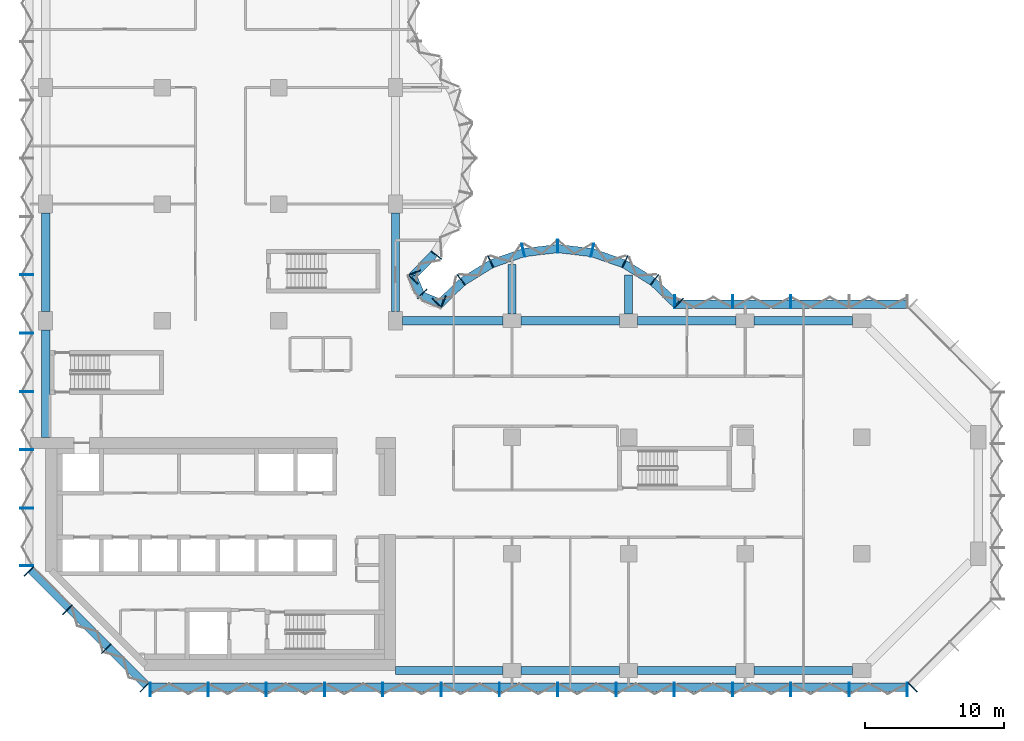
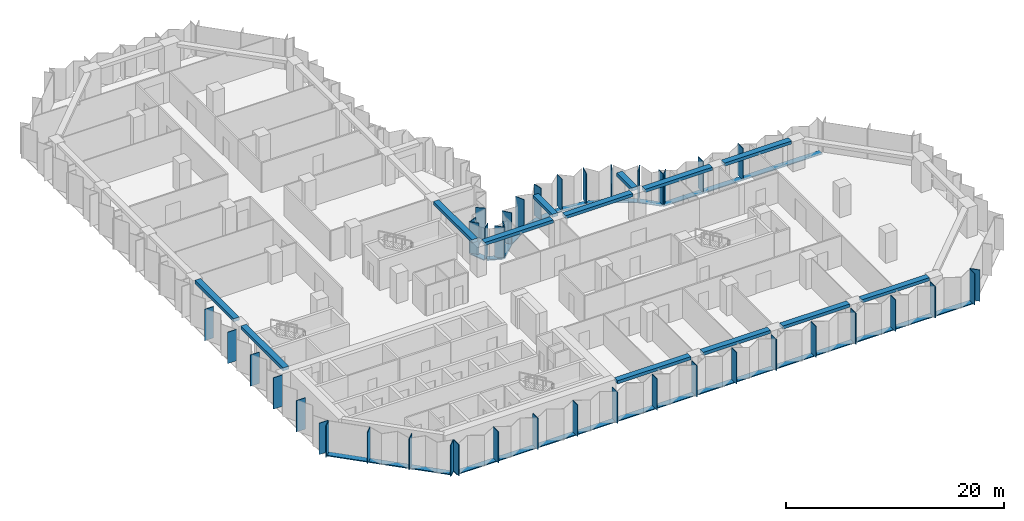
# One storey, part 2 of 13: 56 members, 13 beams, 8 elements without a shape of their own.
"""IFC4 building model written with IfcOpenShell, lengths in metres."""

import ifcopenshell
import ifcopenshell.guid

model = None  # the IFC model being written
_history = None  # IfcOwnerHistory: only IFC2X3 demands one
_inside = {}  # id of a spatial element -> (the spatial element, [elements in it])
_under = {}  # id of a project, library or spatial element -> (it, [spatial elements below it])
_declared = {}  # id of a project -> (the project, [libraries it declares])
_typed = {}  # id of a type object -> (the type object, [elements of that type])
_made_of = {}  # id of a material, layer set ... -> (it, [elements and type objects made of it])


def new_model(schema):
    """Start an empty IFC model of exactly this schema.

    Asked for "IFC4X3", IfcOpenShell would pick the latest addendum, in which some entities
    have other attributes; the version numbers below select the first issue.
    IFC2X3 requires an IfcOwnerHistory on every rooted entity: one is made here for all.
    """
    global model, _history
    if schema == "IFC4X3":
        model = ifcopenshell.file(schema_version=(4, 3, 0, 0))
    else:
        model = ifcopenshell.file(schema=schema)
    _inside.clear()
    _under.clear()
    _declared.clear()
    _typed.clear()
    _made_of.clear()
    _history = None
    if model.schema == "IFC2X3":
        org = make("IfcOrganization", Name="unknown")
        user = make(
            "IfcPersonAndOrganization",
            ThePerson=make("IfcPerson", FamilyName="unknown"),
            TheOrganization=org,
        )
        app = make(
            "IfcApplication",
            ApplicationDeveloper=org,
            Version="unknown",
            ApplicationFullName="unknown",
            ApplicationIdentifier="unknown",
        )
        _history = make(
            "IfcOwnerHistory",
            OwningUser=user,
            OwningApplication=app,
            ChangeAction="ADDED",
            CreationDate=0,
        )
    return model


def make(cls, **values):
    """One entity of the class cls with the attributes given. An attribute that is None is left unset."""
    return model.create_entity(
        cls, **{name: value for name, value in values.items() if value is not None}
    )


def rooted(cls, **values):
    """An entity with a GlobalId (a new one), such as an element, a storey or a relation."""
    return make(cls, GlobalId=ifcopenshell.guid.new(), OwnerHistory=_history, **values)


def si_unit(unit_type, name, prefix=None):
    """IfcSIUnit, for example si_unit("LENGTHUNIT", "METRE", prefix="MILLI")."""
    return make("IfcSIUnit", UnitType=unit_type, Prefix=prefix, Name=name)


def assignment(units):
    """IfcUnitAssignment: the units of a project."""
    return None if units is None else make("IfcUnitAssignment", Units=units)


def point(xyz):
    """IfcCartesianPoint."""
    return None if xyz is None else make("IfcCartesianPoint", Coordinates=xyz)


def direction(xyz):
    """IfcDirection."""
    return None if xyz is None else make("IfcDirection", DirectionRatios=xyz)


def frame(location, z_axis=None, x_axis=None):
    """IfcAxis2Placement3D, a coordinate frame: its origin and axes. An axis left out is left unset."""
    return make(
        "IfcAxis2Placement3D",
        Location=point(location),
        Axis=direction(z_axis),
        RefDirection=direction(x_axis),
    )


def frame_2d(location, x_axis=None):
    """IfcAxis2Placement2D, a coordinate frame in the plane: its origin and x axis."""
    return make(
        "IfcAxis2Placement2D", Location=point(location), RefDirection=direction(x_axis)
    )


def origin():
    """The frame at (0, 0, 0) with its axes left unset."""
    return frame((0.0, 0.0, 0.0))


def origin_2d():
    """The frame at (0, 0) in the plane with its x axis left unset."""
    return frame_2d((0.0, 0.0))


def place(relative_to, where):
    """IfcLocalPlacement: puts the frame where relative to a parent placement (None: the world)."""
    return make(
        "IfcLocalPlacement", PlacementRelTo=relative_to, RelativePlacement=where
    )


def context(
    kind, dimensions, precision=None, world=None, true_north=None, identifier=None
):
    """IfcGeometricRepresentationContext, for example the 3D "Model" context."""
    return make(
        "IfcGeometricRepresentationContext",
        ContextIdentifier=identifier,
        ContextType=kind,
        CoordinateSpaceDimension=dimensions,
        Precision=precision,
        WorldCoordinateSystem=world,
        TrueNorth=true_north,
    )


def subcontext(parent, identifier, kind, view, scale=None):
    """IfcGeometricRepresentationSubContext, for example "Body" below "Model"."""
    return make(
        "IfcGeometricRepresentationSubContext",
        ContextIdentifier=identifier,
        ContextType=kind,
        ParentContext=parent,
        TargetScale=scale,
        TargetView=view,
    )


def project(units=None, contexts=None):
    """IfcProject with its units and contexts."""
    return rooted(
        "IfcProject",
        Name="project",
        RepresentationContexts=contexts,
        UnitsInContext=assignment(units),
    )


def spatial(cls, under=None, at=None, **own):
    """A site, building, storey or space (cls), placed at a placement, below another one or the project."""
    s = rooted(cls, ObjectPlacement=at, **own)
    if under is not None:
        _under.setdefault(under.id(), (under, []))[1].append(s)
    return s


def profile(cls, at=None, kind="AREA", **sizes):
    """A parametric profile (cls). Its sizes go by their IFC names, for example OverallWidth=200.0."""
    return make(cls, ProfileType=kind, Position=at, **sizes)


def rectangle(**sizes):
    """IfcRectangleProfileDef."""
    return profile("IfcRectangleProfileDef", **sizes)


def extrude(swept, where, along, depth):
    """IfcExtrudedAreaSolid: the profile swept, set in the frame where, extruded along a direction by depth."""
    return make(
        "IfcExtrudedAreaSolid",
        SweptArea=swept,
        Position=where,
        ExtrudedDirection=direction(along),
        Depth=depth,
    )


def shape(context_of_items, identifier, shape_type, items):
    """IfcShapeRepresentation: the items that make up one representation, for example the "Body"."""
    return make(
        "IfcShapeRepresentation",
        ContextOfItems=context_of_items,
        RepresentationIdentifier=identifier,
        RepresentationType=shape_type,
        Items=items,
    )


def material(Name=None, Category=None):
    """IfcMaterial."""
    return make("IfcMaterial", Name=Name, Category=Category)


def material_profile(
    of_material, cross_section, Name=None, Category=None, Priority=None
):
    """IfcMaterialProfile: a cross section and its material."""
    return make(
        "IfcMaterialProfile",
        Name=Name,
        Material=of_material,
        Profile=cross_section,
        Priority=Priority,
        Category=Category,
    )


def profile_set(profiles, Name=None, composite=None):
    """IfcMaterialProfileSet."""
    return make(
        "IfcMaterialProfileSet",
        Name=Name,
        MaterialProfiles=profiles,
        CompositeProfile=composite,
    )


def made_of(thing, what):
    """Note that an element or type object is made of a material, layer set ...; save() writes the relation."""
    if what is not None:
        _made_of.setdefault(what.id(), (what, []))[1].append(thing)
    return thing


def type_object(cls, material=None, **own):
    """A type object (cls), such as IfcWallType, which elements share."""
    return made_of(rooted(cls, **own), material)


def element(
    cls,
    number,
    at=None,
    inside=None,
    cuts=None,
    type_object=None,
    material=None,
    context=None,
    identifier="Body",
    shape_type=None,
    held_by="IfcProductDefinitionShape",
    body=None,
    shapes=None,
    **own,
):
    """One element of the class cls, such as IfcWall. Its Tag is "e" and its number.

    at: its placement. inside: the storey or other place that contains it. cuts: it is an
    opening in that element (IfcRelVoidsElement). A single representation is given by context,
    identifier, shape_type and body (its items); several are given by shapes. held_by: the class
    of the entity that holds the representations. save() writes the other relations.
    """
    e = rooted(cls, Tag="e%d" % number, ObjectPlacement=at, **own)
    if body is not None:
        shapes = [shape(context, identifier, shape_type, body)]
    if shapes is not None:
        e.Representation = make(held_by, Representations=shapes)
    if inside is not None:
        _inside.setdefault(inside.id(), (inside, []))[1].append(e)
    if cuts is not None:
        rooted(
            "IfcRelVoidsElement", RelatingBuildingElement=cuts, RelatedOpeningElement=e
        )
    if type_object is not None:
        _typed.setdefault(type_object.id(), (type_object, []))[1].append(e)
    return made_of(e, material)


def aggregate(whole, parts):
    """IfcRelAggregates: a whole, such as a stair, and the parts it consists of."""
    return rooted("IfcRelAggregates", RelatingObject=whole, RelatedObjects=parts)


def save(model, path):
    """Write the relations noted so far, then the file.

    IfcRelAggregates (storeys below a building ...), IfcRelContainedInSpatialStructure (elements
    in a storey), IfcRelDefinesByType, IfcRelAssociatesMaterial and IfcRelDeclares: one each for
    every whole, place, type object, material and project.
    """
    for whole, parts in _under.values():
        aggregate(whole, parts)
    for where, things in _inside.values():
        rooted(
            "IfcRelContainedInSpatialStructure",
            RelatedElements=things,
            RelatingStructure=where,
        )
    for kind, things in _typed.values():
        rooted("IfcRelDefinesByType", RelatedObjects=things, RelatingType=kind)
    for what, things in _made_of.values():
        rooted("IfcRelAssociatesMaterial", RelatedObjects=things, RelatingMaterial=what)
    for by, libraries in _declared.values():
        rooted("IfcRelDeclares", RelatingContext=by, RelatedDefinitions=libraries)
    model.write(path)


model = new_model("IFC4")

# Units and contexts
model_context = context("Model", 3, precision=1e-05, world=origin(), true_north=direction((0.0, 1.0)))
body_context = subcontext(model_context, "Body", "Model", "MODEL_VIEW")
ifc_project = project(units=[si_unit("LENGTHUNIT", "METRE"), si_unit("AREAUNIT", "SQUARE_METRE"), si_unit("VOLUMEUNIT", "CUBIC_METRE"), si_unit("PLANEANGLEUNIT", "RADIAN"), si_unit("MASSUNIT", "GRAM", prefix="KILO")], contexts=[model_context])

# Site, building, storey
site_placement = place(None, origin())
site = spatial("IfcSite", under=ifc_project, at=site_placement, CompositionType="ELEMENT")
building_placement = place(site_placement, origin())
building = spatial("IfcBuilding", under=site, at=building_placement, Name="Brevane Broadcast Tower", CompositionType="ELEMENT")
storey_placement = place(building_placement, frame((0.0, 0.0, 124.10009765625)))
storey = spatial("IfcBuildingStorey", under=building, at=storey_placement, Name="L30", CompositionType="ELEMENT", Elevation=124.10009765625)

# Curtain wall, members
ifc_material_1 = material(Name="Aluminium 6063-T6 bronze anodised", Category="aluminium")
curtain_wall_type = type_object("IfcCurtainWallType", Name="CW-1 curtain wall", PredefinedType="NOTDEFINED", material=ifc_material_1)
curtain_wall_1_placement = place(storey_placement, origin())
curtain_wall_1 = element("IfcCurtainWall", 1, at=curtain_wall_1_placement, inside=storey, type_object=curtain_wall_type, Name="CW-1 typical tilted unit L30 south face", PredefinedType="NOTDEFINED")
ifc_material_profile_1 = material_profile(ifc_material_1, rectangle(XDim=0.949951171875, YDim=0.070068359375, at=origin_2d()), Name="RECT 70x950")
ifc_profile_set_1 = profile_set([ifc_material_profile_1], Name="Aluminium 6063-T6 bronze anodised")
member_type_1 = type_object("IfcMemberType", Name="CW-1 mullion 70x950", PredefinedType="MULLION", material=ifc_profile_set_1)
member_1_placement = place(storey_placement, frame((7.534912109375, -1.375, -0.150146484375), z_axis=(0.0, 0.0, 1.0), x_axis=(0.0, 1.0, 0.0)))
member_1 = element("IfcMember", 2, at=member_1_placement, type_object=member_type_1, Name="CW-1 mullion", PredefinedType="MULLION", context=body_context, shape_type="SweptSolid", body=[
    extrude(rectangle(XDim=0.949951171875, YDim=0.070068359375, at=origin_2d()), origin(), (0.0, 0.0, 1.0), 3.5),
])
member_2_placement = place(storey_placement, frame((11.699951171875, -1.375, -0.150146484375), z_axis=(0.0, 0.0, 1.0), x_axis=(0.0, 1.0, 0.0)))
member_2 = element("IfcMember", 3, at=member_2_placement, type_object=member_type_1, Name="CW-1 mullion", PredefinedType="MULLION", context=body_context, shape_type="SweptSolid", body=[
    extrude(rectangle(XDim=0.949951171875, YDim=0.070068359375, at=origin_2d()), origin(), (0.0, 0.0, 1.0), 3.5),
])
member_3_placement = place(storey_placement, frame((15.89990234375, -1.375, -0.150146484375), z_axis=(0.0, 0.0, 1.0), x_axis=(0.0, 1.0, 0.0)))
member_3 = element("IfcMember", 4, at=member_3_placement, type_object=member_type_1, Name="CW-1 mullion", PredefinedType="MULLION", context=body_context, shape_type="SweptSolid", body=[
    extrude(rectangle(XDim=0.949951171875, YDim=0.070068359375, at=origin_2d()), origin(), (0.0, 0.0, 1.0), 3.5),
])
member_4_placement = place(storey_placement, frame((20.10009765625, -1.375, -0.150146484375), z_axis=(0.0, 0.0, 1.0), x_axis=(0.0, 1.0, 0.0)))
member_4 = element("IfcMember", 5, at=member_4_placement, type_object=member_type_1, Name="CW-1 mullion", PredefinedType="MULLION", context=body_context, shape_type="SweptSolid", body=[
    extrude(rectangle(XDim=0.949951171875, YDim=0.070068359375, at=origin_2d()), origin(), (0.0, 0.0, 1.0), 3.5),
])
member_5_placement = place(storey_placement, frame((24.300048828125, -1.375, -0.150146484375), z_axis=(0.0, 0.0, 1.0), x_axis=(0.0, 1.0, 0.0)))
member_5 = element("IfcMember", 6, at=member_5_placement, type_object=member_type_1, Name="CW-1 mullion", PredefinedType="MULLION", context=body_context, shape_type="SweptSolid", body=[
    extrude(rectangle(XDim=0.949951171875, YDim=0.070068359375, at=origin_2d()), origin(), (0.0, 0.0, 1.0), 3.5),
])
member_6_placement = place(storey_placement, frame((28.5, -1.375, -0.150146484375), z_axis=(0.0, 0.0, 1.0), x_axis=(0.0, 1.0, 0.0)))
member_6 = element("IfcMember", 7, at=member_6_placement, type_object=member_type_1, Name="CW-1 mullion", PredefinedType="MULLION", context=body_context, shape_type="SweptSolid", body=[
    extrude(rectangle(XDim=0.949951171875, YDim=0.070068359375, at=origin_2d()), origin(), (0.0, 0.0, 1.0), 3.5),
])
member_7_placement = place(storey_placement, frame((32.699951171875, -1.375, -0.150146484375), z_axis=(0.0, 0.0, 1.0), x_axis=(0.0, 1.0, 0.0)))
member_7 = element("IfcMember", 8, at=member_7_placement, type_object=member_type_1, Name="CW-1 mullion", PredefinedType="MULLION", context=body_context, shape_type="SweptSolid", body=[
    extrude(rectangle(XDim=0.949951171875, YDim=0.070068359375, at=origin_2d()), origin(), (0.0, 0.0, 1.0), 3.5),
])
member_8_placement = place(storey_placement, frame((36.89990234375, -1.375, -0.150146484375), z_axis=(0.0, 0.0, 1.0), x_axis=(0.0, 1.0, 0.0)))
member_8 = element("IfcMember", 9, at=member_8_placement, type_object=member_type_1, Name="CW-1 mullion", PredefinedType="MULLION", context=body_context, shape_type="SweptSolid", body=[
    extrude(rectangle(XDim=0.949951171875, YDim=0.070068359375, at=origin_2d()), origin(), (0.0, 0.0, 1.0), 3.5),
])
member_9_placement = place(storey_placement, frame((41.10009765625, -1.375, -0.150146484375), z_axis=(0.0, 0.0, 1.0), x_axis=(0.0, 1.0, 0.0)))
member_9 = element("IfcMember", 10, at=member_9_placement, type_object=member_type_1, Name="CW-1 mullion", PredefinedType="MULLION", context=body_context, shape_type="SweptSolid", body=[
    extrude(rectangle(XDim=0.949951171875, YDim=0.070068359375, at=origin_2d()), origin(), (0.0, 0.0, 1.0), 3.5),
])
member_10_placement = place(storey_placement, frame((45.300048828125, -1.375, -0.150146484375), z_axis=(0.0, 0.0, 1.0), x_axis=(0.0, 1.0, 0.0)))
member_10 = element("IfcMember", 11, at=member_10_placement, type_object=member_type_1, Name="CW-1 mullion", PredefinedType="MULLION", context=body_context, shape_type="SweptSolid", body=[
    extrude(rectangle(XDim=0.949951171875, YDim=0.070068359375, at=origin_2d()), origin(), (0.0, 0.0, 1.0), 3.5),
])
member_11_placement = place(storey_placement, frame((49.5, -1.375, -0.150146484375), z_axis=(0.0, 0.0, 1.0), x_axis=(0.0, 1.0, 0.0)))
member_11 = element("IfcMember", 12, at=member_11_placement, type_object=member_type_1, Name="CW-1 mullion", PredefinedType="MULLION", context=body_context, shape_type="SweptSolid", body=[
    extrude(rectangle(XDim=0.949951171875, YDim=0.070068359375, at=origin_2d()), origin(), (0.0, 0.0, 1.0), 3.5),
])
member_12_placement = place(storey_placement, frame((53.699951171875, -1.375, -0.150146484375), z_axis=(0.0, 0.0, 1.0), x_axis=(0.0, 1.0, 0.0)))
member_12 = element("IfcMember", 13, at=member_12_placement, type_object=member_type_1, Name="CW-1 mullion", PredefinedType="MULLION", context=body_context, shape_type="SweptSolid", body=[
    extrude(rectangle(XDim=0.949951171875, YDim=0.070068359375, at=origin_2d()), origin(), (0.0, 0.0, 1.0), 3.5),
])
member_13_placement = place(storey_placement, frame((57.89990234375, -1.375, -0.150146484375), z_axis=(0.0, 0.0, 1.0), x_axis=(0.0, 1.0, 0.0)))
member_13 = element("IfcMember", 14, at=member_13_placement, type_object=member_type_1, Name="CW-1 mullion", PredefinedType="MULLION", context=body_context, shape_type="SweptSolid", body=[
    extrude(rectangle(XDim=0.949951171875, YDim=0.070068359375, at=origin_2d()), origin(), (0.0, 0.0, 1.0), 3.5),
])
member_14_placement = place(storey_placement, frame((62.06494140625, -1.375, -0.150146484375), z_axis=(0.0, 0.0, 1.0), x_axis=(0.0, 1.0, 0.0)))
member_14 = element("IfcMember", 15, at=member_14_placement, type_object=member_type_1, Name="CW-1 mullion", PredefinedType="MULLION", context=body_context, shape_type="SweptSolid", body=[
    extrude(rectangle(XDim=0.949951171875, YDim=0.070068359375, at=origin_2d()), origin(), (0.0, 0.0, 1.0), 3.5),
])

# Curtain wall, member
curtain_wall_2_placement = place(storey_placement, origin())
curtain_wall_2 = element("IfcCurtainWall", 16, at=curtain_wall_2_placement, inside=storey, type_object=curtain_wall_type, Name="CW-1 typical tilted unit L30 south-east chamfer", PredefinedType="NOTDEFINED")
member_15_placement = place(storey_placement, frame((62.460693359375, -1.211181640625, -0.150146484375), z_axis=(0.0, 0.0, 1.0), x_axis=(-0.707106781187, 0.707106781187, 0.0)))
member_15 = element("IfcMember", 17, at=member_15_placement, type_object=member_type_1, Name="CW-1 mullion", PredefinedType="MULLION", context=body_context, shape_type="SweptSolid", body=[
    extrude(rectangle(XDim=0.949951171875, YDim=0.070068359375, at=origin_2d()), origin(), (0.0, 0.0, 1.0), 3.5),
])
aggregate(curtain_wall_2, [member_15])

# Curtain wall, members
curtain_wall_3_placement = place(storey_placement, origin())
curtain_wall_3 = element("IfcCurtainWall", 18, at=curtain_wall_3_placement, inside=storey, type_object=curtain_wall_type, Name="CW-1 typical tilted unit L30 east arm north face", PredefinedType="NOTDEFINED")
member_16_placement = place(storey_placement, frame((53.699951171875, 26.574951171875, -0.150146484375), z_axis=(0.0, 0.0, 1.0), x_axis=(0.0, -1.0, 0.0)))
member_16 = element("IfcMember", 19, at=member_16_placement, type_object=member_type_1, Name="CW-1 mullion", PredefinedType="MULLION", context=body_context, shape_type="SweptSolid", body=[
    extrude(rectangle(XDim=0.949951171875, YDim=0.070068359375, at=origin_2d()), origin(), (0.0, 0.0, 1.0), 3.5),
])
member_17_placement = place(storey_placement, frame((49.5, 26.574951171875, -0.150146484375), z_axis=(0.0, 0.0, 1.0), x_axis=(0.0, -1.0, 0.0)))
member_17 = element("IfcMember", 20, at=member_17_placement, type_object=member_type_1, Name="CW-1 mullion", PredefinedType="MULLION", context=body_context, shape_type="SweptSolid", body=[
    extrude(rectangle(XDim=0.949951171875, YDim=0.070068359375, at=origin_2d()), origin(), (0.0, 0.0, 1.0), 3.5),
])
member_18_placement = place(storey_placement, frame((45.3349609375, 26.574951171875, -0.150146484375), z_axis=(0.0, 0.0, 1.0), x_axis=(0.0, -1.0, 0.0)))
member_18 = element("IfcMember", 21, at=member_18_placement, type_object=member_type_1, Name="CW-1 mullion", PredefinedType="MULLION", context=body_context, shape_type="SweptSolid", body=[
    extrude(rectangle(XDim=0.949951171875, YDim=0.070068359375, at=origin_2d()), origin(), (0.0, 0.0, 1.0), 3.5),
])

curtain_wall_4_placement = place(storey_placement, origin())
curtain_wall_4 = element("IfcCurtainWall", 22, at=curtain_wall_4_placement, inside=storey, type_object=curtain_wall_type, Name="CW-1 typical tilted unit L30 east bow", PredefinedType="NOTDEFINED")
member_19_placement = place(storey_placement, frame((45.60595703125, 26.465087890625, -0.150146484375), z_axis=(0.0, 0.0, 1.0), x_axis=(-0.696811941702, -0.717253872699, 0.0)))
member_19 = element("IfcMember", 23, at=member_19_placement, type_object=member_type_1, Name="CW-1 mullion", PredefinedType="MULLION", context=body_context, shape_type="SweptSolid", body=[
    extrude(rectangle(XDim=0.949951171875, YDim=0.070068359375, at=origin_2d()), origin(), (0.0, 0.0, 1.0), 3.5),
])
member_20_placement = place(storey_placement, frame((43.8720703125, 28.1455078125, -0.150146484375), z_axis=(0.0, 0.0, 1.0), x_axis=(-0.614769738617, -0.788706642853, 0.0)))
member_20 = element("IfcMember", 24, at=member_20_placement, type_object=member_type_1, Name="CW-1 mullion", PredefinedType="MULLION", context=body_context, shape_type="SweptSolid", body=[
    extrude(rectangle(XDim=0.949951171875, YDim=0.070068359375, at=origin_2d()), origin(), (0.0, 0.0, 1.0), 3.5),
])
member_21_placement = place(storey_placement, frame((41.746826171875, 29.4580078125, -0.150146484375), z_axis=(0.0, 0.0, 1.0), x_axis=(-0.429933601163, -0.902860508933, 0.0)))
member_21 = element("IfcMember", 25, at=member_21_placement, type_object=member_type_1, Name="CW-1 mullion", PredefinedType="MULLION", context=body_context, shape_type="SweptSolid", body=[
    extrude(rectangle(XDim=0.949951171875, YDim=0.070068359375, at=origin_2d()), origin(), (0.0, 0.0, 1.0), 3.5),
])
member_22_placement = place(storey_placement, frame((39.38818359375, 30.28076171875, -0.150146484375), z_axis=(0.0, 0.0, 1.0), x_axis=(-0.224806482215, -0.974403430594, 0.0)))
member_22 = element("IfcMember", 26, at=member_22_placement, type_object=member_type_1, Name="CW-1 mullion", PredefinedType="MULLION", context=body_context, shape_type="SweptSolid", body=[
    extrude(rectangle(XDim=0.949951171875, YDim=0.070068359375, at=origin_2d()), origin(), (0.0, 0.0, 1.0), 3.5),
])
member_23_placement = place(storey_placement, frame((36.89990234375, 30.574951171875, -0.150146484375), z_axis=(0.0, 0.0, 1.0), x_axis=(0.0, -1.0, 0.0)))
member_23 = element("IfcMember", 27, at=member_23_placement, type_object=member_type_1, Name="CW-1 mullion", PredefinedType="MULLION", context=body_context, shape_type="SweptSolid", body=[
    extrude(rectangle(XDim=0.949951171875, YDim=0.070068359375, at=origin_2d()), origin(), (0.0, 0.0, 1.0), 3.5),
])
member_24_placement = place(storey_placement, frame((34.411865234375, 30.28076171875, -0.150146484375), z_axis=(0.0, 0.0, 1.0), x_axis=(0.224806482215, -0.974403430594, 0.0)))
member_24 = element("IfcMember", 28, at=member_24_placement, type_object=member_type_1, Name="CW-1 mullion", PredefinedType="MULLION", context=body_context, shape_type="SweptSolid", body=[
    extrude(rectangle(XDim=0.949951171875, YDim=0.070068359375, at=origin_2d()), origin(), (0.0, 0.0, 1.0), 3.5),
])
member_25_placement = place(storey_placement, frame((32.05322265625, 29.4580078125, -0.150146484375), z_axis=(0.0, 0.0, 1.0), x_axis=(0.429933601163, -0.902860508933, 0.0)))
member_25 = element("IfcMember", 29, at=member_25_placement, type_object=member_type_1, Name="CW-1 mullion", PredefinedType="MULLION", context=body_context, shape_type="SweptSolid", body=[
    extrude(rectangle(XDim=0.949951171875, YDim=0.070068359375, at=origin_2d()), origin(), (0.0, 0.0, 1.0), 3.5),
])
member_26_placement = place(storey_placement, frame((29.927978515625, 28.1455078125, -0.150146484375), z_axis=(0.0, 0.0, 1.0), x_axis=(0.614769738617, -0.788706642853, 0.0)))
member_26 = element("IfcMember", 30, at=member_26_placement, type_object=member_type_1, Name="CW-1 mullion", PredefinedType="MULLION", context=body_context, shape_type="SweptSolid", body=[
    extrude(rectangle(XDim=0.949951171875, YDim=0.070068359375, at=origin_2d()), origin(), (0.0, 0.0, 1.0), 3.5),
])
member_27_placement = place(storey_placement, frame((28.194091796875, 26.465087890625, -0.150146484375), z_axis=(0.0, 0.0, 1.0), x_axis=(0.696811941702, -0.717253872699, 0.0)))
member_27 = element("IfcMember", 31, at=member_27_placement, type_object=member_type_1, Name="CW-1 mullion", PredefinedType="MULLION", context=body_context, shape_type="SweptSolid", body=[
    extrude(rectangle(XDim=0.949951171875, YDim=0.070068359375, at=origin_2d()), origin(), (0.0, 0.0, 1.0), 3.5),
])

curtain_wall_5_placement = place(storey_placement, origin())
curtain_wall_5 = element("IfcCurtainWall", 32, at=curtain_wall_5_placement, inside=storey, type_object=curtain_wall_type, Name="CW-1 typical tilted unit L30 inner corner", PredefinedType="NOTDEFINED")
member_28_placement = place(storey_placement, frame((28.6494140625, 26.55224609375, -0.150146484375), z_axis=(0.0, 0.0, 1.0), x_axis=(-0.382683612978, -0.923879457699, 0.0)))
member_28 = element("IfcMember", 33, at=member_28_placement, type_object=member_type_1, Name="CW-1 mullion", PredefinedType="MULLION", context=body_context, shape_type="SweptSolid", body=[
    extrude(rectangle(XDim=0.949951171875, YDim=0.070068359375, at=origin_2d()), origin(), (0.0, 0.0, 1.0), 3.5),
])
member_29_placement = place(storey_placement, frame((27.138916015625, 27.138916015625, -0.150146484375), z_axis=(0.0, 0.0, 1.0), x_axis=(-0.707106781187, -0.707106781187, 0.0)))
member_29 = element("IfcMember", 34, at=member_29_placement, type_object=member_type_1, Name="CW-1 mullion", PredefinedType="MULLION", context=body_context, shape_type="SweptSolid", body=[
    extrude(rectangle(XDim=0.949951171875, YDim=0.070068359375, at=origin_2d()), origin(), (0.0, 0.0, 1.0), 3.5),
])
member_30_placement = place(storey_placement, frame((26.55224609375, 28.6494140625, -0.150146484375), z_axis=(0.0, 0.0, 1.0), x_axis=(-0.923879457699, -0.382683612978, 0.0)))
member_30 = element("IfcMember", 35, at=member_30_placement, type_object=member_type_1, Name="CW-1 mullion", PredefinedType="MULLION", context=body_context, shape_type="SweptSolid", body=[
    extrude(rectangle(XDim=0.949951171875, YDim=0.070068359375, at=origin_2d()), origin(), (0.0, 0.0, 1.0), 3.5),
])

curtain_wall_6_placement = place(storey_placement, origin())
curtain_wall_6 = element("IfcCurtainWall", 36, at=curtain_wall_6_placement, inside=storey, type_object=curtain_wall_type, Name="CW-1 typical tilted unit L30 north bow", PredefinedType="NOTDEFINED")
member_31_placement = place(storey_placement, frame((26.465087890625, 28.194091796875, -0.150146484375), z_axis=(0.0, 0.0, 1.0), x_axis=(-0.717253872699, 0.696811941702, 0.0)))
member_31 = element("IfcMember", 37, at=member_31_placement, type_object=member_type_1, Name="CW-1 mullion", PredefinedType="MULLION", context=body_context, shape_type="SweptSolid", body=[
    extrude(rectangle(XDim=0.949951171875, YDim=0.070068359375, at=origin_2d()), origin(), (0.0, 0.0, 1.0), 3.5),
])
member_32_placement = place(storey_placement, frame((28.1455078125, 29.927978515625, -0.150146484375), z_axis=(0.0, 0.0, 1.0), x_axis=(-0.788706642853, 0.614769738617, 0.0)))
member_32 = element("IfcMember", 38, at=member_32_placement, type_object=member_type_1, Name="CW-1 mullion", PredefinedType="MULLION", context=body_context, shape_type="SweptSolid", body=[
    extrude(rectangle(XDim=0.949951171875, YDim=0.070068359375, at=origin_2d()), origin(), (0.0, 0.0, 1.0), 3.5),
])

curtain_wall_7_placement = place(storey_placement, origin())
curtain_wall_7 = element("IfcCurtainWall", 39, at=curtain_wall_7_placement, inside=storey, type_object=curtain_wall_type, Name="CW-1 typical tilted unit L30 west face", PredefinedType="NOTDEFINED")
member_33_placement = place(storey_placement, frame((-1.375, 28.5, -0.150146484375), z_axis=(0.0, 0.0, 1.0), x_axis=(1.0, 0.0, 0.0)))
member_33 = element("IfcMember", 40, at=member_33_placement, type_object=member_type_1, Name="CW-1 mullion", PredefinedType="MULLION", context=body_context, shape_type="SweptSolid", body=[
    extrude(rectangle(XDim=0.949951171875, YDim=0.070068359375, at=origin_2d()), origin(), (0.0, 0.0, 1.0), 3.5),
])
member_34_placement = place(storey_placement, frame((-1.375, 24.300048828125, -0.150146484375), z_axis=(0.0, 0.0, 1.0), x_axis=(1.0, 0.0, 0.0)))
member_34 = element("IfcMember", 41, at=member_34_placement, type_object=member_type_1, Name="CW-1 mullion", PredefinedType="MULLION", context=body_context, shape_type="SweptSolid", body=[
    extrude(rectangle(XDim=0.949951171875, YDim=0.070068359375, at=origin_2d()), origin(), (0.0, 0.0, 1.0), 3.5),
])
member_35_placement = place(storey_placement, frame((-1.375, 20.10009765625, -0.150146484375), z_axis=(0.0, 0.0, 1.0), x_axis=(1.0, 0.0, 0.0)))
member_35 = element("IfcMember", 42, at=member_35_placement, type_object=member_type_1, Name="CW-1 mullion", PredefinedType="MULLION", context=body_context, shape_type="SweptSolid", body=[
    extrude(rectangle(XDim=0.949951171875, YDim=0.070068359375, at=origin_2d()), origin(), (0.0, 0.0, 1.0), 3.5),
])
member_36_placement = place(storey_placement, frame((-1.375, 15.89990234375, -0.150146484375), z_axis=(0.0, 0.0, 1.0), x_axis=(1.0, 0.0, 0.0)))
member_36 = element("IfcMember", 43, at=member_36_placement, type_object=member_type_1, Name="CW-1 mullion", PredefinedType="MULLION", context=body_context, shape_type="SweptSolid", body=[
    extrude(rectangle(XDim=0.949951171875, YDim=0.070068359375, at=origin_2d()), origin(), (0.0, 0.0, 1.0), 3.5),
])
member_37_placement = place(storey_placement, frame((-1.375, 11.699951171875, -0.150146484375), z_axis=(0.0, 0.0, 1.0), x_axis=(1.0, 0.0, 0.0)))
member_37 = element("IfcMember", 44, at=member_37_placement, type_object=member_type_1, Name="CW-1 mullion", PredefinedType="MULLION", context=body_context, shape_type="SweptSolid", body=[
    extrude(rectangle(XDim=0.949951171875, YDim=0.070068359375, at=origin_2d()), origin(), (0.0, 0.0, 1.0), 3.5),
])
member_38_placement = place(storey_placement, frame((-1.375, 7.534912109375, -0.150146484375), z_axis=(0.0, 0.0, 1.0), x_axis=(1.0, 0.0, 0.0)))
member_38 = element("IfcMember", 45, at=member_38_placement, type_object=member_type_1, Name="CW-1 mullion", PredefinedType="MULLION", context=body_context, shape_type="SweptSolid", body=[
    extrude(rectangle(XDim=0.949951171875, YDim=0.070068359375, at=origin_2d()), origin(), (0.0, 0.0, 1.0), 3.5),
])
aggregate(curtain_wall_7, [member_33, member_34, member_35, member_36, member_37, member_38])

curtain_wall_8_placement = place(storey_placement, origin())
curtain_wall_8 = element("IfcCurtainWall", 46, at=curtain_wall_8_placement, inside=storey, type_object=curtain_wall_type, Name="CW-1 typical tilted unit L30 south-west chamfer", PredefinedType="NOTDEFINED")
member_39_placement = place(storey_placement, frame((-1.211181640625, 7.139404296875, -0.150146484375), z_axis=(0.0, 0.0, 1.0), x_axis=(0.707106781187, 0.707106781187, 0.0)))
member_39 = element("IfcMember", 47, at=member_39_placement, type_object=member_type_1, Name="CW-1 mullion", PredefinedType="MULLION", context=body_context, shape_type="SweptSolid", body=[
    extrude(rectangle(XDim=0.949951171875, YDim=0.070068359375, at=origin_2d()), origin(), (0.0, 0.0, 1.0), 3.5),
])
member_40_placement = place(storey_placement, frame((1.564208984375, 4.364013671875, -0.150146484375), z_axis=(0.0, 0.0, 1.0), x_axis=(0.707106781187, 0.707106781187, 0.0)))
member_40 = element("IfcMember", 48, at=member_40_placement, type_object=member_type_1, Name="CW-1 mullion", PredefinedType="MULLION", context=body_context, shape_type="SweptSolid", body=[
    extrude(rectangle(XDim=0.949951171875, YDim=0.070068359375, at=origin_2d()), origin(), (0.0, 0.0, 1.0), 3.5),
])
member_41_placement = place(storey_placement, frame((4.364013671875, 1.564208984375, -0.150146484375), z_axis=(0.0, 0.0, 1.0), x_axis=(0.707106781187, 0.707106781187, 0.0)))
member_41 = element("IfcMember", 49, at=member_41_placement, type_object=member_type_1, Name="CW-1 mullion", PredefinedType="MULLION", context=body_context, shape_type="SweptSolid", body=[
    extrude(rectangle(XDim=0.949951171875, YDim=0.070068359375, at=origin_2d()), origin(), (0.0, 0.0, 1.0), 3.5),
])
member_42_placement = place(storey_placement, frame((7.139404296875, -1.211181640625, -0.150146484375), z_axis=(0.0, 0.0, 1.0), x_axis=(0.707106781187, 0.707106781187, 0.0)))
member_42 = element("IfcMember", 50, at=member_42_placement, type_object=member_type_1, Name="CW-1 mullion", PredefinedType="MULLION", context=body_context, shape_type="SweptSolid", body=[
    extrude(rectangle(XDim=0.949951171875, YDim=0.070068359375, at=origin_2d()), origin(), (0.0, 0.0, 1.0), 3.5),
])

# Member
ifc_material_profile_2 = material_profile(ifc_material_1, rectangle(XDim=0.60009765625, YDim=0.10009765625, at=origin_2d()), Name="RECT 100x600")
ifc_profile_set_2 = profile_set([ifc_material_profile_2], Name="Aluminium 6063-T6 bronze anodised")
member_type_2 = type_object("IfcMemberType", Name="CW-1 transom 100x600", PredefinedType="USERDEFINED", material=ifc_profile_set_2)
member_43_placement = place(storey_placement, frame((7.5, -1.199951171875, -0.2001953125), z_axis=(1.0, 0.0, 0.0), x_axis=(0.0, 1.0, 0.0)))
member_43 = element("IfcMember", 51, at=member_43_placement, type_object=member_type_2, Name="CW-1 transom", ObjectType="TRANSOM", PredefinedType="USERDEFINED", context=body_context, shape_type="SweptSolid", body=[
    extrude(rectangle(XDim=0.60009765625, YDim=0.10009765625, at=origin_2d()), origin(), (0.0, 0.0, 1.0), 54.60009765625),
])

aggregate(curtain_wall_1, [member_1, member_2, member_3, member_4, member_5, member_6, member_7, member_8, member_9, member_10, member_11, member_12, member_13, member_14, member_43])

member_44_placement = place(storey_placement, frame((62.10009765625, 26.39990234375, -0.2001953125), z_axis=(-1.0, 0.0, 0.0), x_axis=(0.0, -1.0, 0.0)))
member_44 = element("IfcMember", 52, at=member_44_placement, type_object=member_type_2, Name="CW-1 transom", ObjectType="TRANSOM", PredefinedType="USERDEFINED", context=body_context, shape_type="SweptSolid", body=[
    extrude(rectangle(XDim=0.60009765625, YDim=0.10009765625, at=origin_2d()), origin(), (0.0, 0.0, 1.0), 16.800048828125),
])

aggregate(curtain_wall_3, [member_16, member_17, member_18, member_44])

member_45_placement = place(storey_placement, frame((45.412841796875, 26.407958984375, -0.2001953125), z_axis=(-0.71724215871, 0.696823999134, 0.0), x_axis=(-0.696823999134, -0.71724215871, 0.0)))
member_45 = element("IfcMember", 53, at=member_45_placement, type_object=member_type_2, Name="CW-1 transom", ObjectType="TRANSOM", PredefinedType="USERDEFINED", context=body_context, shape_type="SweptSolid", body=[
    extrude(rectangle(XDim=0.60009765625, YDim=0.10009765625, at=origin_2d()), origin(), (0.0, 0.0, 1.0), 2.247802734375),
])

member_46_placement = place(storey_placement, frame((43.7421875, 28.023193359375, -0.2001953125), z_axis=(-0.850810063131, 0.525473345162, 0.0), x_axis=(-0.525473345162, -0.850810063131, 0.0)))
member_46 = element("IfcMember", 54, at=member_46_placement, type_object=member_type_2, Name="CW-1 transom", ObjectType="TRANSOM", PredefinedType="USERDEFINED", context=body_context, shape_type="SweptSolid", body=[
    extrude(rectangle(XDim=0.60009765625, YDim=0.10009765625, at=origin_2d()), origin(), (0.0, 0.0, 1.0), 2.39453125),
])

member_47_placement = place(storey_placement, frame((41.63623046875, 29.314208984375, -0.2001953125), z_axis=(-0.944197969542, 0.329378497041, 0.0), x_axis=(-0.329378497041, -0.944197969542, 0.0)))
member_47 = element("IfcMember", 55, at=member_47_placement, type_object=member_type_2, Name="CW-1 transom", ObjectType="TRANSOM", PredefinedType="USERDEFINED", context=body_context, shape_type="SweptSolid", body=[
    extrude(rectangle(XDim=0.60009765625, YDim=0.10009765625, at=origin_2d()), origin(), (0.0, 0.0, 1.0), 2.394775390625),
])

member_48_placement = place(storey_placement, frame((39.30029296875, 30.117431640625, -0.2001953125), z_axis=(-0.993062061831, 0.117591417, 0.0), x_axis=(-0.117591417, -0.993062061831, 0.0)))
member_48 = element("IfcMember", 56, at=member_48_placement, type_object=member_type_2, Name="CW-1 transom", ObjectType="TRANSOM", PredefinedType="USERDEFINED", context=body_context, shape_type="SweptSolid", body=[
    extrude(rectangle(XDim=0.60009765625, YDim=0.10009765625, at=origin_2d()), origin(), (0.0, 0.0, 1.0), 2.39794921875),
])

member_49_placement = place(storey_placement, frame((36.880859375, 30.3994140625, -0.2001953125), z_axis=(-0.993060653805, -0.117603307202, 0.0), x_axis=(0.117603307202, -0.993060653805, 0.0)))
member_49 = element("IfcMember", 57, at=member_49_placement, type_object=member_type_2, Name="CW-1 transom", ObjectType="TRANSOM", PredefinedType="USERDEFINED", context=body_context, shape_type="SweptSolid", body=[
    extrude(rectangle(XDim=0.60009765625, YDim=0.10009765625, at=origin_2d()), origin(), (0.0, 0.0, 1.0), 2.397705078125),
])

member_50_placement = place(storey_placement, frame((34.425048828125, 30.10302734375, -0.2001953125), z_axis=(-0.944197969542, -0.329378497041, 0.0), x_axis=(0.329378497041, -0.944197969542, 0.0)))
member_50 = element("IfcMember", 58, at=member_50_placement, type_object=member_type_2, Name="CW-1 transom", ObjectType="TRANSOM", PredefinedType="USERDEFINED", context=body_context, shape_type="SweptSolid", body=[
    extrude(rectangle(XDim=0.60009765625, YDim=0.10009765625, at=origin_2d()), origin(), (0.0, 0.0, 1.0), 2.394775390625),
])

member_51_placement = place(storey_placement, frame((32.09521484375, 29.281494140625, -0.2001953125), z_axis=(-0.850838211365, -0.525427766759, 0.0), x_axis=(0.525427766759, -0.850838211365, 0.0)))
member_51 = element("IfcMember", 59, at=member_51_placement, type_object=member_type_2, Name="CW-1 transom", ObjectType="TRANSOM", PredefinedType="USERDEFINED", context=body_context, shape_type="SweptSolid", body=[
    extrude(rectangle(XDim=0.60009765625, YDim=0.10009765625, at=origin_2d()), origin(), (0.0, 0.0, 1.0), 2.394775390625),
])

member_52_placement = place(storey_placement, frame((29.99951171875, 27.974365234375, -0.2001953125), z_axis=(-0.71724215871, -0.696823999134, 0.0), x_axis=(0.696823999134, -0.71724215871, 0.0)))
member_52 = element("IfcMember", 60, at=member_52_placement, type_object=member_type_2, Name="CW-1 transom", ObjectType="TRANSOM", PredefinedType="USERDEFINED", context=body_context, shape_type="SweptSolid", body=[
    extrude(rectangle(XDim=0.60009765625, YDim=0.10009765625, at=origin_2d()), origin(), (0.0, 0.0, 1.0), 2.247802734375),
])

aggregate(curtain_wall_4, [member_19, member_20, member_21, member_22, member_23, member_24, member_25, member_26, member_27, member_45, member_46, member_47, member_48, member_49, member_50, member_51, member_52])

member_53_placement = place(storey_placement, frame((28.528076171875, 26.40673828125, -0.2001953125), z_axis=(-0.923883243627, 0.382674472816, 0.0), x_axis=(-0.382674472816, -0.923883243627, 0.0)))
member_53 = element("IfcMember", 61, at=member_53_placement, type_object=member_type_2, Name="CW-1 transom", ObjectType="TRANSOM", PredefinedType="USERDEFINED", context=body_context, shape_type="SweptSolid", body=[
    extrude(rectangle(XDim=0.60009765625, YDim=0.10009765625, at=origin_2d()), origin(), (0.0, 0.0, 1.0), 1.536865234375),
])

member_54_placement = place(storey_placement, frame((27.039794921875, 27.0, -0.2001953125), z_axis=(-0.382674472816, 0.923883243627, 0.0), x_axis=(-0.923883243627, -0.382674472816, 0.0)))
member_54 = element("IfcMember", 62, at=member_54_placement, type_object=member_type_2, Name="CW-1 transom", ObjectType="TRANSOM", PredefinedType="USERDEFINED", context=body_context, shape_type="SweptSolid", body=[
    extrude(rectangle(XDim=0.60009765625, YDim=0.10009765625, at=origin_2d()), origin(), (0.0, 0.0, 1.0), 1.536865234375),
])

aggregate(curtain_wall_5, [member_28, member_29, member_30, member_53, member_54])

member_55_placement = place(storey_placement, frame((26.407958984375, 28.38720703125, -0.2001953125), z_axis=(0.696823999134, 0.71724215871, 0.0), x_axis=(-0.71724215871, 0.696823999134, 0.0)))
member_55 = element("IfcMember", 63, at=member_55_placement, type_object=member_type_2, Name="CW-1 transom", ObjectType="TRANSOM", PredefinedType="USERDEFINED", context=body_context, shape_type="SweptSolid", body=[
    extrude(rectangle(XDim=0.60009765625, YDim=0.10009765625, at=origin_2d()), origin(), (0.0, 0.0, 1.0), 2.247802734375),
])

aggregate(curtain_wall_6, [member_31, member_32, member_55])

member_56_placement = place(storey_placement, frame((-1.112060546875, 7.287841796875, -0.2001953125), z_axis=(0.707106781187, -0.707106781187, 0.0), x_axis=(0.707106781187, 0.707106781187, 0.0)))
member_56 = element("IfcMember", 64, at=member_56_placement, type_object=member_type_2, Name="CW-1 transom", ObjectType="TRANSOM", PredefinedType="USERDEFINED", context=body_context, shape_type="SweptSolid", body=[
    extrude(rectangle(XDim=0.60009765625, YDim=0.10009765625, at=origin_2d()), origin(), (0.0, 0.0, 1.0), 11.879150390625),
])

aggregate(curtain_wall_8, [member_39, member_40, member_41, member_42, member_56])

# Beams
ifc_material_2 = material(Name="Concrete C40/50", Category="concrete")
ifc_material_profile_3 = material_profile(ifc_material_2, rectangle(XDim=0.60009765625, YDim=0.35009765625, at=origin_2d()), Name="RC 600x350")
ifc_profile_set_3 = profile_set([ifc_material_profile_3], Name="Concrete C40/50")
beam_type_1 = type_object("IfcBeamType", Name="RC BRACKET BEAM 600x350 C40/50", PredefinedType="BEAM", material=ifc_profile_set_3)
beam_1_placement = place(storey_placement, frame((33.60009765625, 25.699951171875, 3.1748046875), z_axis=(0.0, 1.0, 0.0), x_axis=(-1.0, 0.0, 0.0)))
element("IfcBeam", 65, at=beam_1_placement, inside=storey, type_object=beam_type_1, Name="EB2 L30-3", PredefinedType="BEAM", context=body_context, shape_type="SweptSolid", body=[
    extrude(rectangle(XDim=0.60009765625, YDim=0.35009765625, at=origin_2d()), origin(), (0.0, 0.0, 1.0), 3.56201171875),
])
beam_2_placement = place(storey_placement, frame((42.0, 25.699951171875, 3.1748046875), z_axis=(0.0, 1.0, 0.0), x_axis=(-1.0, 0.0, 0.0)))
element("IfcBeam", 66, at=beam_2_placement, inside=storey, type_object=beam_type_1, Name="EB2 L30-4", PredefinedType="BEAM", context=body_context, shape_type="SweptSolid", body=[
    extrude(rectangle(XDim=0.60009765625, YDim=0.35009765625, at=origin_2d()), origin(), (0.0, 0.0, 1.0), 2.8115234375),
])
ifc_material_profile_4 = material_profile(ifc_material_2, rectangle(XDim=0.60009765625, YDim=0.35009765625, at=origin_2d()), Name="RC 600x350")
ifc_profile_set_4 = profile_set([ifc_material_profile_4], Name="Concrete C40/50")
beam_type_2 = type_object("IfcBeamType", Name="RC SPANDREL BEAM 600x350 C40/50", PredefinedType="SPANDREL", material=ifc_profile_set_4)
beam_3_placement = place(storey_placement, frame((25.199951171875, 0.0, 3.1748046875), z_axis=(1.0, 0.0, 0.0), x_axis=(0.0, 1.0, 0.0)))
element("IfcBeam", 67, at=beam_3_placement, inside=storey, type_object=beam_type_2, Name="EB1 L30-1", PredefinedType="SPANDREL", context=body_context, shape_type="SweptSolid", body=[
    extrude(rectangle(XDim=0.60009765625, YDim=0.35009765625, at=origin_2d()), origin(), (0.0, 0.0, 1.0), 7.75),
])
for number, where, z_axis, x_axis, name in (
    (68, (34.25, 0.0, 3.1748046875), (1.0, 0.0, 0.0), (0.0, 1.0, 0.0), "EB1 L30-2"),
    (69, (42.64990234375, 0.0, 3.1748046875), (1.0, 0.0, 0.0), (0.0, 1.0, 0.0), "EB1 L30-3"),
):
    element("IfcBeam", number, at=place(storey_placement, frame(where, z_axis=z_axis, x_axis=x_axis)), inside=storey, type_object=beam_type_2, Name=name, PredefinedType="SPANDREL", context=body_context, shape_type="SweptSolid", body=[
        extrude(rectangle(XDim=0.60009765625, YDim=0.35009765625, at=origin_2d()), origin(), (0.0, 0.0, 1.0), 7.10009765625),
    ])
for number, where, z_axis, x_axis, name in (
    (70, (51.050048828125, 0.0, 3.1748046875), (1.0, 0.0, 0.0), (0.0, 1.0, 0.0), "EB1 L30-4"),
    (71, (58.14990234375, 25.199951171875, 3.1748046875), (-1.0, 0.0, 0.0), (0.0, -1.0, 0.0), "EB1 L30-8"),
):
    element("IfcBeam", number, at=place(storey_placement, frame(where, z_axis=z_axis, x_axis=x_axis)), inside=storey, type_object=beam_type_2, Name=name, PredefinedType="SPANDREL", context=body_context, shape_type="SweptSolid", body=[
        extrude(rectangle(XDim=0.60009765625, YDim=0.35009765625, at=origin_2d()), origin(), (0.0, 0.0, 1.0), 7.099853515625),
    ])
for number, where, z_axis, x_axis, name in (
    (72, (49.75, 25.199951171875, 3.1748046875), (-1.0, 0.0, 0.0), (0.0, -1.0, 0.0), "EB1 L30-9"),
    (73, (41.35009765625, 25.199951171875, 3.1748046875), (-1.0, 0.0, 0.0), (0.0, -1.0, 0.0), "EB1 L30-10"),
):
    element("IfcBeam", number, at=place(storey_placement, frame(where, z_axis=z_axis, x_axis=x_axis)), inside=storey, type_object=beam_type_2, Name=name, PredefinedType="SPANDREL", context=body_context, shape_type="SweptSolid", body=[
        extrude(rectangle(XDim=0.60009765625, YDim=0.35009765625, at=origin_2d()), origin(), (0.0, 0.0, 1.0), 7.10009765625),
    ])
beam_4_placement = place(storey_placement, frame((32.949951171875, 25.199951171875, 3.1748046875), z_axis=(-1.0, 0.0, 0.0), x_axis=(0.0, -1.0, 0.0)))
element("IfcBeam", 74, at=beam_4_placement, inside=storey, type_object=beam_type_2, Name="EB1 L30-11", PredefinedType="SPANDREL", context=body_context, shape_type="SweptSolid", body=[
    extrude(rectangle(XDim=0.60009765625, YDim=0.35009765625, at=origin_2d()), origin(), (0.0, 0.0, 1.0), 7.25),
])
for number, where, z_axis, x_axis, name in (
    (75, (25.199951171875, 25.85009765625, 3.1748046875), (0.0, 1.0, 0.0), (-1.0, 0.0, 0.0), "EB1 L30-12"),
    (76, (0.0, 32.949951171875, 3.1748046875), (0.0, -1.0, 0.0), (1.0, 0.0, 0.0), "EB1 L30-22"),
):
    element("IfcBeam", number, at=place(storey_placement, frame(where, z_axis=z_axis, x_axis=x_axis)), inside=storey, type_object=beam_type_2, Name=name, PredefinedType="SPANDREL", context=body_context, shape_type="SweptSolid", body=[
        extrude(rectangle(XDim=0.60009765625, YDim=0.35009765625, at=origin_2d()), origin(), (0.0, 0.0, 1.0), 7.099853515625),
    ])
beam_5_placement = place(storey_placement, frame((0.0, 24.550048828125, 3.1748046875), z_axis=(0.0, -1.0, 0.0), x_axis=(1.0, 0.0, 0.0)))
element("IfcBeam", 77, at=beam_5_placement, inside=storey, type_object=beam_type_2, Name="EB1 L30-23", PredefinedType="SPANDREL", context=body_context, shape_type="SweptSolid", body=[
    extrude(rectangle(XDim=0.60009765625, YDim=0.35009765625, at=origin_2d()), origin(), (0.0, 0.0, 1.0), 7.75),
])

save(model, "model.ifc")
